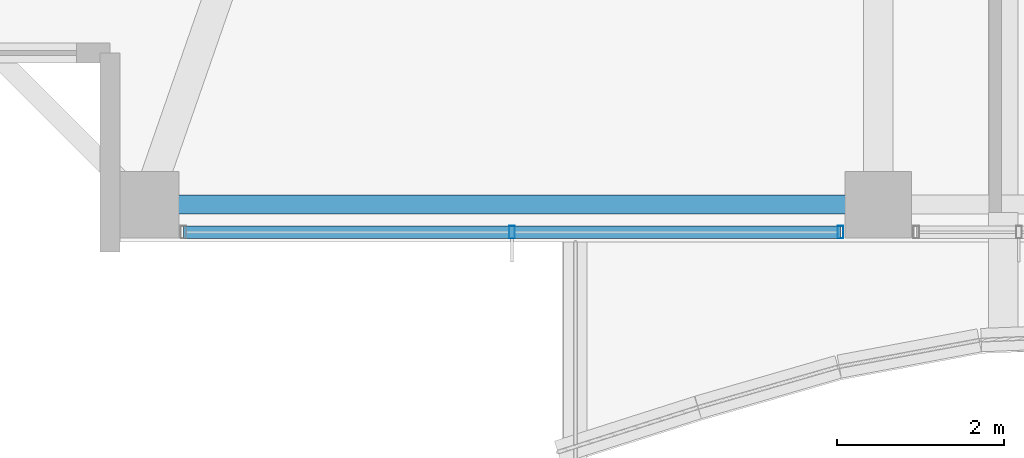
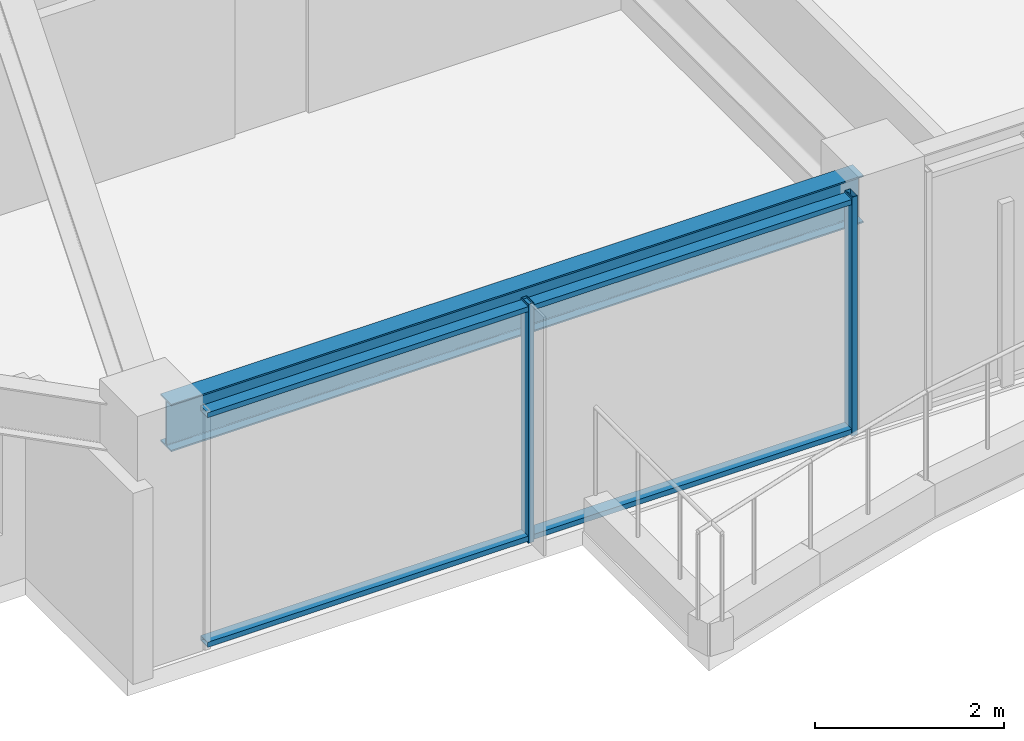
# One storey, part 3 of 36: 4 members, 1 beam, 1 element without a shape of its own.
"""IFC4 building model written with IfcOpenShell, lengths in metres."""

from ifc_helpers import new_model, si_unit, direction, frame, origin, origin_2d, place, context, subcontext, project, spatial, hollow_rectangle, i_section, extrude, material, material_profile, profile_set, type_object, element, aggregate, save


model = new_model("IFC4")

# Units and contexts
model_context = context("Model", 3, precision=1e-05, world=origin(), true_north=direction((0.0, 1.0)))
body_context = subcontext(model_context, "Body", "Model", "MODEL_VIEW")
ifc_project = project(units=[si_unit("LENGTHUNIT", "METRE"), si_unit("AREAUNIT", "SQUARE_METRE"), si_unit("VOLUMEUNIT", "CUBIC_METRE"), si_unit("PLANEANGLEUNIT", "RADIAN"), si_unit("MASSUNIT", "GRAM", prefix="KILO")], contexts=[model_context])

# Site, building, storey
site_placement = place(None, origin())
site = spatial("IfcSite", under=ifc_project, at=site_placement, CompositionType="ELEMENT")
building_placement = place(site_placement, origin())
building = spatial("IfcBuilding", under=site, at=building_placement, Name="Kolvaren Belvedere", CompositionType="ELEMENT")
storey_placement = place(building_placement, frame((0.0, 0.0, 193.199951171875)))
storey = spatial("IfcBuildingStorey", under=building, at=storey_placement, Name="L56", CompositionType="ELEMENT", Elevation=193.199951171875)

# Beam
ifc_material_1 = material(Name="Structural steel ASTM A992 Grade 50", Category="steel")
ifc_material_profile_1 = material_profile(ifc_material_1, i_section(OverallWidth=0.22900390625, OverallDepth=0.612060546875, WebThickness=0.011962890625, FlangeThickness=0.01953125, FilletRadius=0.01806640625, at=origin_2d()), Name="W24X84")
ifc_profile_set_1 = profile_set([ifc_material_profile_1], Name="Structural steel ASTM A992 Grade 50")
beam_type = type_object("IfcBeamType", Name="BM-SPAN-W24X84", PredefinedType="SPANDREL", material=ifc_profile_set_1)
beam_placement = place(storey_placement, frame((-13.219970703125, -19.949951171875, 2.774169921875), z_axis=(1.0, 0.0, 0.0), x_axis=(0.0, 1.0, 0.0)))
element("IfcBeam", 1, at=beam_placement, inside=storey, type_object=beam_type, Name="L56 Perimeter Spandrel S1-S2", PredefinedType="SPANDREL", context=body_context, shape_type="SweptSolid", body=[
    extrude(i_section(OverallWidth=0.22900390625, OverallDepth=0.612060546875, WebThickness=0.011962890625, FlangeThickness=0.01953125, FilletRadius=0.01806640625, at=origin_2d()), origin(), (0.0, 0.0, 1.0), 8.43994140625),
])

# Curtain wall, members
ifc_material_2 = material(Name="Anodised pale-metal aluminium AA 6063-T6", Category="aluminium")
curtain_wall_type = type_object("IfcCurtainWallType", Name="CW-Z5-HIGH", PredefinedType="NOTDEFINED", material=ifc_material_2)
curtain_wall_placement = place(storey_placement, origin())
curtain_wall = element("IfcCurtainWall", 2, at=curtain_wall_placement, inside=storey, type_object=curtain_wall_type, Name="L56 Unitised Curtain Wall FCW-L56-S2-B2", PredefinedType="NOTDEFINED")
ifc_material_3 = material(Name="Anodised pale-metal aluminium AA 6063-T6", Category="aluminium")
ifc_material_profile_2 = material_profile(ifc_material_3, hollow_rectangle(XDim=0.070068359375, YDim=0.14990234375, WallThickness=0.004150390625, at=origin_2d()), Name="ALU-MUL-150X70")
ifc_profile_set_2 = profile_set([ifc_material_profile_2], Name="Anodised pale-metal aluminium AA 6063-T6")
member_type_1 = type_object("IfcMemberType", Name="CW-MUL-150", PredefinedType="MULLION", material=ifc_profile_set_2)
member_1_placement = place(storey_placement, frame((-5.054931640625, -20.280029296875, 0.0), z_axis=(0.0, 0.0, 1.0), x_axis=(1.0, 0.0, 0.0)))
member_1 = element("IfcMember", 3, at=member_1_placement, type_object=member_type_1, Name="FCW-L56-S2-B2 Unitised Mullion 1", PredefinedType="MULLION", context=body_context, shape_type="SweptSolid", body=[
    extrude(hollow_rectangle(XDim=0.070068359375, YDim=0.14990234375, WallThickness=0.004150390625, at=origin_2d()), origin(), (0.0, 0.0, 1.0), 3.080078125),
])
member_2_placement = place(storey_placement, frame((-9.0, -20.280029296875, 0.0), z_axis=(0.0, 0.0, 1.0), x_axis=(1.0, 0.0, 0.0)))
member_2 = element("IfcMember", 4, at=member_2_placement, type_object=member_type_1, Name="FCW-L56-S2-B2 Unitised Mullion 2", PredefinedType="MULLION", context=body_context, shape_type="SweptSolid", body=[
    extrude(hollow_rectangle(XDim=0.070068359375, YDim=0.14990234375, WallThickness=0.004150390625, at=origin_2d()), origin(), (0.0, 0.0, 1.0), 3.080078125),
])
ifc_material_4 = material(Name="Anodised pale-metal aluminium AA 6063-T6", Category="aluminium")
ifc_material_profile_3 = material_profile(ifc_material_4, hollow_rectangle(XDim=0.06494140625, YDim=0.14990234375, WallThickness=0.00390625, at=origin_2d()), Name="ALU-TRN-150X65")
ifc_profile_set_3 = profile_set([ifc_material_profile_3], Name="Anodised pale-metal aluminium AA 6063-T6")
member_type_2 = type_object("IfcMemberType", Name="CW-TRN-150", PredefinedType="USERDEFINED", material=ifc_profile_set_3)
member_3_placement = place(storey_placement, frame((-5.054931640625, -20.280029296875, 0.06005859375), z_axis=(-1.0, 0.0, 0.0), x_axis=(0.0, 0.0, 1.0)))
member_3 = element("IfcMember", 5, at=member_3_placement, type_object=member_type_2, Name="FCW-L56-S2-B2 Sill Transom", ObjectType="TRANSOM", PredefinedType="USERDEFINED", context=body_context, shape_type="SweptSolid", body=[
    extrude(hollow_rectangle(XDim=0.06494140625, YDim=0.14990234375, WallThickness=0.00390625, at=origin_2d()), origin(), (0.0, 0.0, 1.0), 7.89013671875),
])
member_4_placement = place(storey_placement, frame((-5.054931640625, -20.280029296875, 3.02001953125), z_axis=(-1.0, 0.0, 0.0), x_axis=(0.0, 0.0, 1.0)))
member_4 = element("IfcMember", 6, at=member_4_placement, type_object=member_type_2, Name="FCW-L56-S2-B2 Head Transom", ObjectType="TRANSOM", PredefinedType="USERDEFINED", context=body_context, shape_type="SweptSolid", body=[
    extrude(hollow_rectangle(XDim=0.06494140625, YDim=0.14990234375, WallThickness=0.00390625, at=origin_2d()), origin(), (0.0, 0.0, 1.0), 7.89013671875),
])
aggregate(curtain_wall, [member_1, member_2, member_3, member_4])

save(model, "model.ifc")
